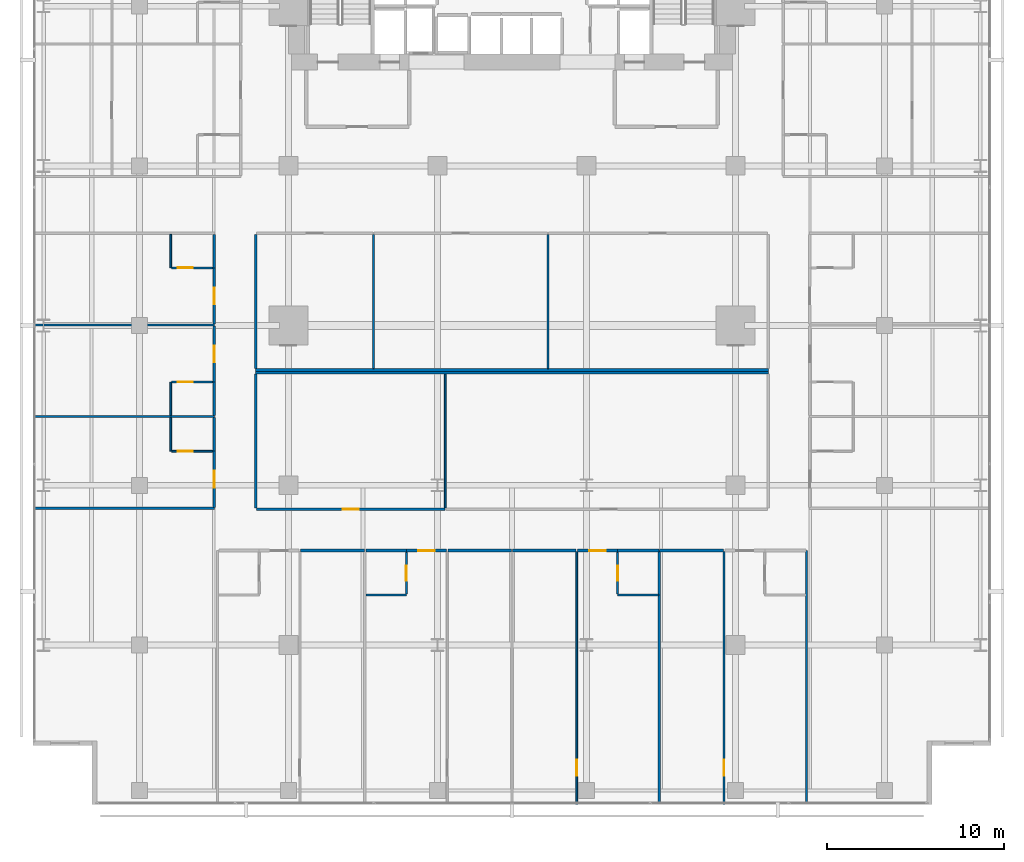
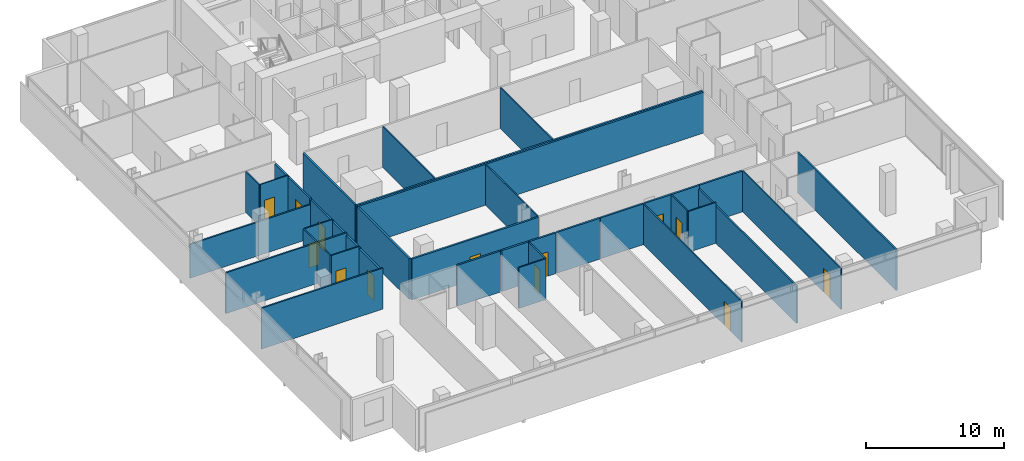
# One storey, part 33 of 39: 39 walls, 13 doors, 13 openings.
"""IFC4 building model written with IfcOpenShell, lengths in metres."""

from ifc_helpers import new_model, si_unit, direction, frame, frame_2d, origin, place, context, subcontext, project, spatial, rectangle, extrude, material, layer, layer_set, type_object, element, fill, save


model = new_model("IFC4")

# Units and contexts
model_context = context("Model", 3, precision=1e-05, world=origin(), true_north=direction((0.0, 1.0)))
body_context = subcontext(model_context, "Body", "Model", "MODEL_VIEW")
ifc_project = project(units=[si_unit("LENGTHUNIT", "METRE"), si_unit("AREAUNIT", "SQUARE_METRE"), si_unit("VOLUMEUNIT", "CUBIC_METRE"), si_unit("PLANEANGLEUNIT", "RADIAN"), si_unit("MASSUNIT", "GRAM", prefix="KILO")], contexts=[model_context])

# Site, building, storey
site_placement = place(None, origin())
site = spatial("IfcSite", under=ifc_project, at=site_placement, CompositionType="ELEMENT")
building_placement = place(site_placement, origin())
building = spatial("IfcBuilding", under=site, at=building_placement, Name="Maruvema Waterfront Hotel and Observation Tower", CompositionType="ELEMENT")
storey_placement = place(building_placement, frame((0.0, 0.0, 46.199951171875)))
storey = spatial("IfcBuildingStorey", under=building, at=storey_placement, Name="L10", CompositionType="ELEMENT", Elevation=46.199951171875)

# Walls
ifc_material_1 = material(Name="Twin-stud acoustic gypsum drywall", Category="gypsum")
ifc_layer_1 = layer(ifc_material_1, 0.14990234375, Name="Acoustic Corridor and Suite Demising Wall 150 mm")
ifc_layer_set_1 = layer_set([ifc_layer_1], Name="Twin-stud acoustic gypsum drywall")
wall_type_1 = type_object("IfcWallType", Name="Acoustic Corridor and Suite Demising Wall 150 mm", PredefinedType="PARTITIONING", material=ifc_layer_set_1)
wall_1_placement = place(storey_placement, frame((23.35009765625, 24.5, 0.0), z_axis=(0.0, 0.0, 1.0), x_axis=(1.0, 0.0, 0.0)))
element("IfcWall", 1, at=wall_1_placement, inside=storey, type_object=wall_type_1, Name="L10 L10-INTN Back Wall 012", PredefinedType="PARTITIONING", context=body_context, shape_type="SweptSolid", body=[
    extrude(rectangle(XDim=28.89990234375, YDim=0.14990234375, at=frame_2d((14.449951171875, 0.0))), origin(), (0.0, 0.0, 1.0), 3.610107421875),
])
wall_2_placement = place(storey_placement, frame((23.35009765625, 24.580078125, 0.0), z_axis=(0.0, 0.0, 1.0), x_axis=(0.0, 1.0, 0.0)))
element("IfcWall", 2, at=wall_2_placement, inside=storey, type_object=wall_type_1, Name="L10 L10-INTN West Wall 013", PredefinedType="PARTITIONING", context=body_context, shape_type="SweptSolid", body=[
    extrude(rectangle(XDim=7.5400390625, YDim=0.14990234375, at=frame_2d((3.77001953125, 0.0))), origin(), (0.0, 0.0, 1.0), 3.610107421875),
])
wall_3_placement = place(storey_placement, frame((23.35009765625, 24.340087890625, 0.0), z_axis=(0.0, 0.0, 1.0), x_axis=(1.0, 0.0, 0.0)))
element("IfcWall", 3, at=wall_3_placement, inside=storey, type_object=wall_type_1, Name="L10 L10-INTS Back Wall 020", PredefinedType="PARTITIONING", context=body_context, shape_type="SweptSolid", body=[
    extrude(rectangle(XDim=28.89990234375, YDim=0.14990234375, at=frame_2d((14.449951171875, 0.0))), origin(), (0.0, 0.0, 1.0), 3.610107421875),
])
wall_4_placement = place(storey_placement, frame((23.35009765625, 16.72998046875, 0.0), z_axis=(0.0, 0.0, 1.0), x_axis=(0.0, 1.0, 0.0)))
element("IfcWall", 4, at=wall_4_placement, inside=storey, type_object=wall_type_1, Name="L10 L10-INTS West Wall 021", PredefinedType="PARTITIONING", context=body_context, shape_type="SweptSolid", body=[
    extrude(rectangle(XDim=7.530029296875, YDim=0.14990234375, at=frame_2d((3.76513671875, 0.0))), origin(), (0.0, 0.0, 1.0), 3.610107421875),
])

# Wall, opening, door
wall_5_placement = place(storey_placement, frame((23.409912109375, 16.64990234375, 0.0), z_axis=(0.0, 0.0, 1.0), x_axis=(1.0, 0.0, 0.0)))
wall_5 = element("IfcWall", 5, at=wall_5_placement, inside=storey, type_object=wall_type_1, Name="L10 L10-INTS Front 1 023", PredefinedType="PARTITIONING", context=body_context, shape_type="SweptSolid", body=[
    extrude(rectangle(XDim=10.60302734375, YDim=0.14990234375, at=frame_2d((5.301513671875, 0.0))), origin(), (0.0, 0.0, 1.0), 3.610107421875),
])
opening_1_placement = place(wall_5_placement, frame((4.8515625, 0.0, 0.0)))
opening_1 = element("IfcOpeningElement", 6, at=opening_1_placement, cuts=wall_5, Name="Opening DR-090", PredefinedType="OPENING", context=body_context, shape_type="SweptSolid", body=[
    extrude(rectangle(XDim=0.89990234375, YDim=2.10009765625, at=frame_2d((0.449951171875, 1.050048828125))), frame((0.0, 0.0849609375, 0.0), z_axis=(0.0, -1.0, 0.0), x_axis=(1.0, 0.0, 0.0)), (0.0, 0.0, 1.0), 0.169921875),
])
ifc_material_2 = material(Name="Solid-core lacquered timber leaf", Category="wood")
door_type_1 = type_object("IfcDoorType", Name="Accessible Toilet and Room Door 900x2100 mm", OperationType="NOTDEFINED", PredefinedType="DOOR", material=ifc_material_2)
door_1_placement = place(opening_1_placement, frame((0.89990234375, 0.0, 0.0), z_axis=(0.0, 0.0, 1.0), x_axis=(-1.0, 0.0, 0.0)))
door_1 = element("IfcDoor", 7, at=door_1_placement, inside=storey, type_object=door_type_1, Name="L10 Wellness Reading Lounge Door", OperationType="SINGLE_SWING_RIGHT", OverallHeight=2.10009765625, OverallWidth=0.89990234375, PredefinedType="DOOR", context=body_context, shape_type="SweptSolid", body=[
    extrude(rectangle(XDim=0.89990234375, YDim=2.10009765625, at=frame_2d((0.449951171875, 1.050048828125))), frame((0.0, 0.02490234375, 0.0), z_axis=(0.0, -1.0, 0.0), x_axis=(1.0, 0.0, 0.0)), (0.0, 0.0, 1.0), 0.050048828125),
])
fill(opening_1, door_1)

# Walls
wall_6_placement = place(storey_placement, frame((25.887939453125, 14.320068359375, 0.0), z_axis=(0.0, 0.0, 1.0), x_axis=(1.0, 0.0, 0.0)))
element("IfcWall", 8, at=wall_6_placement, inside=storey, type_object=wall_type_1, Name="L10 Bedroom L10-S1 Back Wall 032", PredefinedType="PARTITIONING", context=body_context, shape_type="SweptSolid", body=[
    extrude(rectangle(XDim=3.592041015625, YDim=0.14990234375, at=frame_2d((1.7958984375, 0.0))), origin(), (0.0, 0.0, 1.0), 3.610107421875),
])
wall_7_placement = place(storey_placement, frame((29.580078125, 14.320068359375, 0.0), z_axis=(0.0, 0.0, 1.0), x_axis=(1.0, 0.0, 0.0)))
element("IfcWall", 9, at=wall_7_placement, inside=storey, type_object=wall_type_1, Name="L10 Bath L10-S2 Back Wall 035", PredefinedType="PARTITIONING", context=body_context, shape_type="SweptSolid", body=[
    extrude(rectangle(XDim=2.27001953125, YDim=0.14990234375, at=frame_2d((1.135009765625, 0.0))), origin(), (0.0, 0.0, 1.0), 3.610107421875),
])

# Wall, opening, door
wall_8_placement = place(storey_placement, frame((31.85009765625, 14.320068359375, 0.0), z_axis=(0.0, 0.0, 1.0), x_axis=(1.0, 0.0, 0.0)))
wall_8 = element("IfcWall", 10, at=wall_8_placement, inside=storey, type_object=wall_type_1, Name="L10 Unit L10-S2 Corridor Wall 038", PredefinedType="PARTITIONING", context=body_context, shape_type="SweptSolid", body=[
    extrude(rectangle(XDim=2.2578125, YDim=0.14990234375, at=frame_2d((1.12890625, 0.0))), origin(), (0.0, 0.0, 1.0), 3.610107421875),
])
opening_2_placement = place(wall_8_placement, frame((0.654052734375, 0.0, 0.0)))
opening_2 = element("IfcOpeningElement", 11, at=opening_2_placement, cuts=wall_8, Name="Opening DR-095", PredefinedType="OPENING", context=body_context, shape_type="SweptSolid", body=[
    extrude(rectangle(XDim=0.949951171875, YDim=2.14990234375, at=frame_2d((0.47509765625, 1.074951171875))), frame((0.0, 0.0849609375, 0.0), z_axis=(0.0, -1.0, 0.0), x_axis=(1.0, 0.0, 0.0)), (0.0, 0.0, 1.0), 0.169921875),
])
ifc_material_3 = material(Name="Acoustic solid-core hardwood timber leaf", Category="wood")
door_type_2 = type_object("IfcDoorType", Name="Guestroom Entrance Fire Door 950x2150 mm", OperationType="NOTDEFINED", PredefinedType="DOOR", material=ifc_material_3)
door_2_placement = place(opening_2_placement, frame((0.949951171875, 0.0, 0.0), z_axis=(0.0, 0.0, 1.0), x_axis=(-1.0, 0.0, 0.0)))
door_2 = element("IfcDoor", 12, at=door_2_placement, inside=storey, type_object=door_type_2, Name="L10 Unit L10-S2 Entrance Door", OperationType="SINGLE_SWING_RIGHT", OverallHeight=2.14990234375, OverallWidth=0.949951171875, PredefinedType="DOOR", context=body_context, shape_type="SweptSolid", body=[
    extrude(rectangle(XDim=0.949951171875, YDim=2.14990234375, at=frame_2d((0.47509765625, 1.074951171875))), frame((0.0, 0.02490234375, 0.0), z_axis=(0.0, -1.0, 0.0), x_axis=(1.0, 0.0, 0.0)), (0.0, 0.0, 1.0), 0.050048828125),
])
fill(opening_2, door_2)

# Walls
wall_9_placement = place(storey_placement, frame((34.18798828125, 14.320068359375, 0.0), z_axis=(0.0, 0.0, 1.0), x_axis=(1.0, 0.0, 0.0)))
element("IfcWall", 13, at=wall_9_placement, inside=storey, type_object=wall_type_1, Name="L10 Bedroom L10-S2 Back Wall 039", PredefinedType="PARTITIONING", context=body_context, shape_type="SweptSolid", body=[
    extrude(rectangle(XDim=3.592041015625, YDim=0.14990234375, at=frame_2d((1.7958984375, 0.0))), origin(), (0.0, 0.0, 1.0), 3.610107421875),
])
wall_10_placement = place(storey_placement, frame((43.75, 14.320068359375, 0.0), z_axis=(0.0, 0.0, 1.0), x_axis=(1.0, 0.0, 0.0)))
element("IfcWall", 14, at=wall_10_placement, inside=storey, type_object=wall_type_1, Name="L10 Bath L10-S3 Back Wall 042", PredefinedType="PARTITIONING", context=body_context, shape_type="SweptSolid", body=[
    extrude(rectangle(XDim=2.330078125, YDim=0.14990234375, at=frame_2d((1.1650390625, 0.0))), origin(), (0.0, 0.0, 1.0), 3.610107421875),
])
wall_11_placement = place(storey_placement, frame((37.820068359375, 14.320068359375, 0.0), z_axis=(0.0, 0.0, 1.0), x_axis=(1.0, 0.0, 0.0)))
element("IfcWall", 15, at=wall_11_placement, inside=storey, type_object=wall_type_1, Name="L10 Bedroom L10-S3 Back Wall 045", PredefinedType="PARTITIONING", context=body_context, shape_type="SweptSolid", body=[
    extrude(rectangle(XDim=3.592041015625, YDim=0.14990234375, at=frame_2d((1.7958984375, 0.0))), origin(), (0.0, 0.0, 1.0), 3.610107421875),
])

# Wall, opening, door
wall_12_placement = place(storey_placement, frame((41.491943359375, 14.320068359375, 0.0), z_axis=(0.0, 0.0, 1.0), x_axis=(1.0, 0.0, 0.0)))
wall_12 = element("IfcWall", 16, at=wall_12_placement, inside=storey, type_object=wall_type_1, Name="L10 Unit L10-S3 Corridor Wall 046", PredefinedType="PARTITIONING", context=body_context, shape_type="SweptSolid", body=[
    extrude(rectangle(XDim=2.258056640625, YDim=0.14990234375, at=frame_2d((1.12890625, 0.0))), origin(), (0.0, 0.0, 1.0), 3.610107421875),
])
opening_3_placement = place(wall_12_placement, frame((0.654052734375, 0.0, 0.0)))
opening_3 = element("IfcOpeningElement", 17, at=opening_3_placement, cuts=wall_12, Name="Opening DR-095", PredefinedType="OPENING", context=body_context, shape_type="SweptSolid", body=[
    extrude(rectangle(XDim=0.949951171875, YDim=2.14990234375, at=frame_2d((0.47509765625, 1.074951171875))), frame((0.0, 0.0849609375, 0.0), z_axis=(0.0, -1.0, 0.0), x_axis=(1.0, 0.0, 0.0)), (0.0, 0.0, 1.0), 0.169921875),
])
door_3_placement = place(opening_3_placement, frame((0.949951171875, 0.0, 0.0), z_axis=(0.0, 0.0, 1.0), x_axis=(-1.0, 0.0, 0.0)))
door_3 = element("IfcDoor", 18, at=door_3_placement, inside=storey, type_object=door_type_2, Name="L10 Unit L10-S3 Entrance Door", OperationType="SINGLE_SWING_LEFT", OverallHeight=2.14990234375, OverallWidth=0.949951171875, PredefinedType="DOOR", context=body_context, shape_type="SweptSolid", body=[
    extrude(rectangle(XDim=0.949951171875, YDim=2.14990234375, at=frame_2d((0.47509765625, 1.074951171875))), frame((0.0, 0.02490234375, 0.0), z_axis=(0.0, -1.0, 0.0), x_axis=(1.0, 0.0, 0.0)), (0.0, 0.0, 1.0), 0.050048828125),
])
fill(opening_3, door_3)

# Wall
wall_13_placement = place(storey_placement, frame((46.1201171875, 14.320068359375, 0.0), z_axis=(0.0, 0.0, 1.0), x_axis=(1.0, 0.0, 0.0)))
element("IfcWall", 19, at=wall_13_placement, inside=storey, type_object=wall_type_1, Name="L10 Bedroom L10-S4 Back Wall 052", PredefinedType="PARTITIONING", context=body_context, shape_type="SweptSolid", body=[
    extrude(rectangle(XDim=3.591796875, YDim=0.14990234375, at=frame_2d((1.7958984375, 0.0))), origin(), (0.0, 0.0, 1.0), 3.610107421875),
])

# Wall, opening, door
wall_14_placement = place(storey_placement, frame((21.02001953125, 16.760009765625, 0.0), z_axis=(0.0, 0.0, 1.0), x_axis=(0.0, 1.0, 0.0)))
wall_14 = element("IfcWall", 20, at=wall_14_placement, inside=storey, type_object=wall_type_1, Name="L10 Room L10-W1 Corridor Wall 059", PredefinedType="PARTITIONING", context=body_context, shape_type="SweptSolid", body=[
    extrude(rectangle(XDim=3.159912109375, YDim=0.14990234375, at=frame_2d((1.580078125, 0.0))), origin(), (0.0, 0.0, 1.0), 3.35205078125),
])
opening_4_placement = place(wall_14_placement, frame((1.10498046875, 0.0, 0.0)))
opening_4 = element("IfcOpeningElement", 21, at=opening_4_placement, cuts=wall_14, Name="Opening DR-095", PredefinedType="OPENING", context=body_context, shape_type="SweptSolid", body=[
    extrude(rectangle(XDim=0.949951171875, YDim=2.14990234375, at=frame_2d((0.47509765625, 1.074951171875))), frame((0.0, 0.0849609375, 0.0), z_axis=(0.0, -1.0, 0.0), x_axis=(1.0, 0.0, 0.0)), (0.0, 0.0, 1.0), 0.169921875),
])
door_4_placement = place(opening_4_placement, origin())
door_4 = element("IfcDoor", 22, at=door_4_placement, inside=storey, type_object=door_type_2, Name="L10 Room L10-W1 Entrance Door", OperationType="SINGLE_SWING_LEFT", OverallHeight=2.14990234375, OverallWidth=0.949951171875, PredefinedType="DOOR", context=body_context, shape_type="SweptSolid", body=[
    extrude(rectangle(XDim=0.949951171875, YDim=2.14990234375, at=frame_2d((0.47509765625, 1.074951171875))), frame((0.0, 0.02490234375, 0.0), z_axis=(0.0, -1.0, 0.0), x_axis=(1.0, 0.0, 0.0)), (0.0, 0.0, 1.0), 0.050048828125),
])
fill(opening_4, door_4)

# Walls
for number, where, z_axis, x_axis, name in (
    (23, (21.02001953125, 19.919921875, 0.0), (0.0, 0.0, 1.0), (0.0, 1.0, 0.0), "L10 Bath L10-W1 Wall 060"),
    (24, (21.02001953125, 21.929931640625, 0.0), (0.0, 0.0, 1.0), (0.0, 1.0, 0.0), "L10 Bath L10-W2 Wall 069"),
):
    element("IfcWall", number, at=place(storey_placement, frame(where, z_axis=z_axis, x_axis=x_axis)), inside=storey, type_object=wall_type_1, Name=name, PredefinedType="PARTITIONING", context=body_context, shape_type="SweptSolid", body=[
        extrude(rectangle(XDim=1.89013671875, YDim=0.14990234375, at=frame_2d((0.945068359375, 0.0))), origin(), (0.0, 0.0, 1.0), 3.403076171875),
    ])

# Wall, opening, door
wall_15_placement = place(storey_placement, frame((21.02001953125, 23.820068359375, 0.0), z_axis=(0.0, 0.0, 1.0), x_axis=(0.0, 1.0, 0.0)))
wall_15 = element("IfcWall", 25, at=wall_15_placement, inside=storey, type_object=wall_type_1, Name="L10 Room L10-W2 Corridor Wall 070", PredefinedType="PARTITIONING", context=body_context, shape_type="SweptSolid", body=[
    extrude(rectangle(XDim=3.14990234375, YDim=0.14990234375, at=frame_2d((1.574951171875, 0.0))), origin(), (0.0, 0.0, 1.0), 3.403076171875),
])
opening_5_placement = place(wall_15_placement, frame((1.10009765625, 0.0, 0.0)))
opening_5 = element("IfcOpeningElement", 26, at=opening_5_placement, cuts=wall_15, Name="Opening DR-095", PredefinedType="OPENING", context=body_context, shape_type="SweptSolid", body=[
    extrude(rectangle(XDim=0.949951171875, YDim=2.14990234375, at=frame_2d((0.47509765625, 1.074951171875))), frame((0.0, 0.0849609375, 0.0), z_axis=(0.0, -1.0, 0.0), x_axis=(1.0, 0.0, 0.0)), (0.0, 0.0, 1.0), 0.169921875),
])
door_5_placement = place(opening_5_placement, origin())
door_5 = element("IfcDoor", 27, at=door_5_placement, inside=storey, type_object=door_type_2, Name="L10 Room L10-W2 Entrance Door", OperationType="SINGLE_SWING_LEFT", OverallHeight=2.14990234375, OverallWidth=0.949951171875, PredefinedType="DOOR", context=body_context, shape_type="SweptSolid", body=[
    extrude(rectangle(XDim=0.949951171875, YDim=2.14990234375, at=frame_2d((0.47509765625, 1.074951171875))), frame((0.0, 0.02490234375, 0.0), z_axis=(0.0, -1.0, 0.0), x_axis=(1.0, 0.0, 0.0)), (0.0, 0.0, 1.0), 0.050048828125),
])
fill(opening_5, door_5)

wall_16_placement = place(storey_placement, frame((21.02001953125, 27.090087890625, 0.0), z_axis=(0.0, 0.0, 1.0), x_axis=(0.0, 1.0, 0.0)))
wall_16 = element("IfcWall", 28, at=wall_16_placement, inside=storey, type_object=wall_type_1, Name="L10 Room L10-W3 Corridor Wall 079", PredefinedType="PARTITIONING", context=body_context, shape_type="SweptSolid", body=[
    extrude(rectangle(XDim=3.159912109375, YDim=0.14990234375, at=frame_2d((1.580078125, 0.0))), origin(), (0.0, 0.0, 1.0), 3.45703125),
])
opening_6_placement = place(wall_16_placement, frame((1.10498046875, 0.0, 0.0)))
opening_6 = element("IfcOpeningElement", 29, at=opening_6_placement, cuts=wall_16, Name="Opening DR-095", PredefinedType="OPENING", context=body_context, shape_type="SweptSolid", body=[
    extrude(rectangle(XDim=0.949951171875, YDim=2.14990234375, at=frame_2d((0.47509765625, 1.074951171875))), frame((0.0, 0.0849609375, 0.0), z_axis=(0.0, -1.0, 0.0), x_axis=(1.0, 0.0, 0.0)), (0.0, 0.0, 1.0), 0.169921875),
])
door_6_placement = place(opening_6_placement, origin())
door_6 = element("IfcDoor", 30, at=door_6_placement, inside=storey, type_object=door_type_2, Name="L10 Room L10-W3 Entrance Door", OperationType="SINGLE_SWING_LEFT", OverallHeight=2.14990234375, OverallWidth=0.949951171875, PredefinedType="DOOR", context=body_context, shape_type="SweptSolid", body=[
    extrude(rectangle(XDim=0.949951171875, YDim=2.14990234375, at=frame_2d((0.47509765625, 1.074951171875))), frame((0.0, 0.02490234375, 0.0), z_axis=(0.0, -1.0, 0.0), x_axis=(1.0, 0.0, 0.0)), (0.0, 0.0, 1.0), 0.050048828125),
])
fill(opening_6, door_6)

# Walls
wall_17_placement = place(storey_placement, frame((21.02001953125, 30.25, 0.0), z_axis=(0.0, 0.0, 1.0), x_axis=(0.0, 1.0, 0.0)))
element("IfcWall", 31, at=wall_17_placement, inside=storey, type_object=wall_type_1, Name="L10 Bath L10-W3 Wall 080", PredefinedType="PARTITIONING", context=body_context, shape_type="SweptSolid", body=[
    extrude(rectangle(XDim=1.889892578125, YDim=0.14990234375, at=frame_2d((0.94482421875, 0.0))), origin(), (0.0, 0.0, 1.0), 3.45703125),
])
ifc_material_4 = material(Name="Moisture-resistant cement-board drywall", Category="gypsum")
ifc_layer_2 = layer(ifc_material_4, 0.10009765625, Name="En-Suite Moisture-Resistant Partition 100 mm")
ifc_layer_set_2 = layer_set([ifc_layer_2], Name="Moisture-resistant cement-board drywall")
wall_type_2 = type_object("IfcWallType", Name="En-Suite Moisture-Resistant Partition 100 mm", PredefinedType="PARTITIONING", material=ifc_layer_set_2)
for number, where, z_axis, x_axis, name in (
    (32, (29.9970703125, 24.580078125, 0.0), (0.0, 0.0, 1.0), (0.0, 1.0, 0.0), "L10 L10-INTN Split 1 016"),
    (33, (39.822998046875, 24.580078125, 0.0), (0.0, 0.0, 1.0), (0.0, 1.0, 0.0), "L10 L10-INTN Split 2 018"),
):
    element("IfcWall", number, at=place(storey_placement, frame(where, z_axis=z_axis, x_axis=x_axis)), inside=storey, type_object=wall_type_2, Name=name, PredefinedType="PARTITIONING", context=body_context, shape_type="SweptSolid", body=[
        extrude(rectangle(XDim=7.5400390625, YDim=0.10009765625, at=frame_2d((3.77001953125, 0.0))), origin(), (0.0, 0.0, 1.0), 3.610107421875),
    ])
wall_18_placement = place(storey_placement, frame((34.04296875, 16.72998046875, 0.0), z_axis=(0.0, 0.0, 1.0), x_axis=(0.0, 1.0, 0.0)))
element("IfcWall", 34, at=wall_18_placement, inside=storey, type_object=wall_type_2, Name="L10 L10-INTS Split 1 024", PredefinedType="PARTITIONING", context=body_context, shape_type="SweptSolid", body=[
    extrude(rectangle(XDim=7.530029296875, YDim=0.10009765625, at=frame_2d((3.76513671875, 0.0))), origin(), (0.0, 0.0, 1.0), 3.610107421875),
])
wall_19_placement = place(storey_placement, frame((29.580078125, 11.820068359375, 0.0), z_axis=(0.0, 0.0, 1.0), x_axis=(1.0, 0.0, 0.0)))
element("IfcWall", 35, at=wall_19_placement, inside=storey, type_object=wall_type_2, Name="L10 En-Suite L10-S2 South 036", PredefinedType="PARTITIONING", context=body_context, shape_type="SweptSolid", body=[
    extrude(rectangle(XDim=2.27001953125, YDim=0.10009765625, at=frame_2d((1.135009765625, 0.0))), origin(), (0.0, 0.0, 1.0), 3.610107421875),
])

# Wall, opening, door
wall_20_placement = place(storey_placement, frame((31.85009765625, 11.8798828125, 0.0), z_axis=(0.0, 0.0, 1.0), x_axis=(0.0, 1.0, 0.0)))
wall_20 = element("IfcWall", 36, at=wall_20_placement, inside=storey, type_object=wall_type_2, Name="L10 En-Suite L10-S2 East 037", PredefinedType="PARTITIONING", context=body_context, shape_type="SweptSolid", body=[
    extrude(rectangle(XDim=2.340087890625, YDim=0.10009765625, at=frame_2d((1.169921875, 0.0))), origin(), (0.0, 0.0, 1.0), 3.610107421875),
])
opening_7_placement = place(wall_20_placement, frame((0.7451171875, 0.0, 0.0)))
opening_7 = element("IfcOpeningElement", 37, at=opening_7_placement, cuts=wall_20, Name="Opening DR-085", PredefinedType="OPENING", context=body_context, shape_type="SweptSolid", body=[
    extrude(rectangle(XDim=0.85009765625, YDim=2.10009765625, at=frame_2d((0.425048828125, 1.050048828125))), frame((0.0, 0.06005859375, 0.0), z_axis=(0.0, -1.0, 0.0), x_axis=(1.0, 0.0, 0.0)), (0.0, 0.0, 1.0), 0.1201171875),
])
ifc_material_5 = material(Name="Moisture-resistant solid timber leaf", Category="wood")
door_type_3 = type_object("IfcDoorType", Name="En-Suite Bathroom Door 850x2100 mm", OperationType="NOTDEFINED", PredefinedType="DOOR", material=ifc_material_5)
door_7_placement = place(opening_7_placement, frame((0.85009765625, 0.0, 0.0), z_axis=(0.0, 0.0, 1.0), x_axis=(-1.0, 0.0, 0.0)))
door_7 = element("IfcDoor", 38, at=door_7_placement, inside=storey, type_object=door_type_3, Name="L10 En-Suite L10-S2 Door", OperationType="SINGLE_SWING_LEFT", OverallHeight=2.10009765625, OverallWidth=0.85009765625, PredefinedType="DOOR", context=body_context, shape_type="SweptSolid", body=[
    extrude(rectangle(XDim=0.85009765625, YDim=2.10009765625, at=frame_2d((0.425048828125, 1.050048828125))), frame((0.0, 0.02490234375, 0.0), z_axis=(0.0, -1.0, 0.0), x_axis=(1.0, 0.0, 0.0)), (0.0, 0.0, 1.0), 0.050048828125),
])
fill(opening_7, door_7)

# Wall
wall_21_placement = place(storey_placement, frame((43.75, 11.820068359375, 0.0), z_axis=(0.0, 0.0, 1.0), x_axis=(1.0, 0.0, 0.0)))
element("IfcWall", 39, at=wall_21_placement, inside=storey, type_object=wall_type_2, Name="L10 En-Suite L10-S3 South 043", PredefinedType="PARTITIONING", context=body_context, shape_type="SweptSolid", body=[
    extrude(rectangle(XDim=2.31005859375, YDim=0.10009765625, at=frame_2d((1.155029296875, 0.0))), origin(), (0.0, 0.0, 1.0), 3.610107421875),
])

# Wall, opening, door
wall_22_placement = place(storey_placement, frame((43.75, 11.8798828125, 0.0), z_axis=(0.0, 0.0, 1.0), x_axis=(0.0, 1.0, 0.0)))
wall_22 = element("IfcWall", 40, at=wall_22_placement, inside=storey, type_object=wall_type_2, Name="L10 En-Suite L10-S3 West 044", PredefinedType="PARTITIONING", context=body_context, shape_type="SweptSolid", body=[
    extrude(rectangle(XDim=2.340087890625, YDim=0.10009765625, at=frame_2d((1.169921875, 0.0))), origin(), (0.0, 0.0, 1.0), 3.610107421875),
])
opening_8_placement = place(wall_22_placement, frame((0.7451171875, 0.0, 0.0)))
opening_8 = element("IfcOpeningElement", 41, at=opening_8_placement, cuts=wall_22, Name="Opening DR-085", PredefinedType="OPENING", context=body_context, shape_type="SweptSolid", body=[
    extrude(rectangle(XDim=0.85009765625, YDim=2.10009765625, at=frame_2d((0.425048828125, 1.050048828125))), frame((0.0, 0.06005859375, 0.0), z_axis=(0.0, -1.0, 0.0), x_axis=(1.0, 0.0, 0.0)), (0.0, 0.0, 1.0), 0.1201171875),
])
door_8_placement = place(opening_8_placement, origin())
door_8 = element("IfcDoor", 42, at=door_8_placement, inside=storey, type_object=door_type_3, Name="L10 En-Suite L10-S3 Door", OperationType="SINGLE_SWING_RIGHT", OverallHeight=2.10009765625, OverallWidth=0.85009765625, PredefinedType="DOOR", context=body_context, shape_type="SweptSolid", body=[
    extrude(rectangle(XDim=0.85009765625, YDim=2.10009765625, at=frame_2d((0.425048828125, 1.050048828125))), frame((0.0, 0.02490234375, 0.0), z_axis=(0.0, -1.0, 0.0), x_axis=(1.0, 0.0, 0.0)), (0.0, 0.0, 1.0), 0.050048828125),
])
fill(opening_8, door_8)

wall_23_placement = place(storey_placement, frame((41.451904296875, 0.030029296875, 0.0), z_axis=(0.0, 0.0, 1.0), x_axis=(0.0, 1.0, 0.0)))
wall_23 = element("IfcWall", 43, at=wall_23_placement, inside=storey, type_object=wall_type_2, Name="L10 Suite L10-S3 Split 047", PredefinedType="PARTITIONING", context=body_context, shape_type="SweptSolid", body=[
    extrude(rectangle(XDim=14.22998046875, YDim=0.10009765625, at=frame_2d((7.114990234375, 0.0))), origin(), (0.0, 0.0, 1.0), 3.610107421875),
])
opening_9_placement = place(wall_23_placement, frame((1.60009765625, 0.0, 0.0)))
opening_9 = element("IfcOpeningElement", 44, at=opening_9_placement, cuts=wall_23, Name="Opening DR-090", PredefinedType="OPENING", context=body_context, shape_type="SweptSolid", body=[
    extrude(rectangle(XDim=0.89990234375, YDim=2.10009765625, at=frame_2d((0.449951171875, 1.050048828125))), frame((0.0, 0.06005859375, 0.0), z_axis=(0.0, -1.0, 0.0), x_axis=(1.0, 0.0, 0.0)), (0.0, 0.0, 1.0), 0.1201171875),
])
door_9_placement = place(opening_9_placement, frame((0.89990234375, 0.0, 0.0), z_axis=(0.0, 0.0, 1.0), x_axis=(-1.0, 0.0, 0.0)))
door_9 = element("IfcDoor", 45, at=door_9_placement, inside=storey, type_object=door_type_1, Name="L10 Suite L10-S3 Bedroom Door", OperationType="SINGLE_SWING_RIGHT", OverallHeight=2.10009765625, OverallWidth=0.89990234375, PredefinedType="DOOR", context=body_context, shape_type="SweptSolid", body=[
    extrude(rectangle(XDim=0.89990234375, YDim=2.10009765625, at=frame_2d((0.449951171875, 1.050048828125))), frame((0.0, 0.02490234375, 0.0), z_axis=(0.0, -1.0, 0.0), x_axis=(1.0, 0.0, 0.0)), (0.0, 0.0, 1.0), 0.050048828125),
])
fill(opening_9, door_9)

wall_24_placement = place(storey_placement, frame((49.751953125, 0.030029296875, 0.0), z_axis=(0.0, 0.0, 1.0), x_axis=(0.0, 1.0, 0.0)))
wall_24 = element("IfcWall", 46, at=wall_24_placement, inside=storey, type_object=wall_type_2, Name="L10 Suite L10-S4 Split 054", PredefinedType="PARTITIONING", context=body_context, shape_type="SweptSolid", body=[
    extrude(rectangle(XDim=14.22998046875, YDim=0.10009765625, at=frame_2d((7.114990234375, 0.0))), origin(), (0.0, 0.0, 1.0), 3.610107421875),
])
opening_10_placement = place(wall_24_placement, frame((1.60009765625, 0.0, 0.0)))
opening_10 = element("IfcOpeningElement", 47, at=opening_10_placement, cuts=wall_24, Name="Opening DR-090", PredefinedType="OPENING", context=body_context, shape_type="SweptSolid", body=[
    extrude(rectangle(XDim=0.89990234375, YDim=2.10009765625, at=frame_2d((0.449951171875, 1.050048828125))), frame((0.0, 0.06005859375, 0.0), z_axis=(0.0, -1.0, 0.0), x_axis=(1.0, 0.0, 0.0)), (0.0, 0.0, 1.0), 0.1201171875),
])
door_10_placement = place(opening_10_placement, frame((0.89990234375, 0.0, 0.0), z_axis=(0.0, 0.0, 1.0), x_axis=(-1.0, 0.0, 0.0)))
door_10 = element("IfcDoor", 48, at=door_10_placement, inside=storey, type_object=door_type_1, Name="L10 Suite L10-S4 Bedroom Door", OperationType="SINGLE_SWING_LEFT", OverallHeight=2.10009765625, OverallWidth=0.89990234375, PredefinedType="DOOR", context=body_context, shape_type="SweptSolid", body=[
    extrude(rectangle(XDim=0.89990234375, YDim=2.10009765625, at=frame_2d((0.449951171875, 1.050048828125))), frame((0.0, 0.02490234375, 0.0), z_axis=(0.0, -1.0, 0.0), x_axis=(1.0, 0.0, 0.0)), (0.0, 0.0, 1.0), 0.050048828125),
])
fill(opening_10, door_10)

# Wall
wall_25_placement = place(storey_placement, frame((18.570068359375, 19.919921875, 0.0), z_axis=(0.0, 0.0, 1.0), x_axis=(0.0, 1.0, 0.0)))
element("IfcWall", 49, at=wall_25_placement, inside=storey, type_object=wall_type_2, Name="L10 En-Suite L10-W1 W 061", PredefinedType="PARTITIONING", context=body_context, shape_type="SweptSolid", body=[
    extrude(rectangle(XDim=1.89013671875, YDim=0.10009765625, at=frame_2d((0.945068359375, 0.0))), origin(), (0.0, 0.0, 1.0), 3.610107421875),
])

# Wall, opening, door
wall_26_placement = place(storey_placement, frame((18.6201171875, 19.919921875, 0.0), z_axis=(0.0, 0.0, 1.0), x_axis=(1.0, 0.0, 0.0)))
wall_26 = element("IfcWall", 50, at=wall_26_placement, inside=storey, type_object=wall_type_2, Name="L10 En-Suite L10-W1 S 062", PredefinedType="PARTITIONING", context=body_context, shape_type="SweptSolid", body=[
    extrude(rectangle(XDim=2.2998046875, YDim=0.10009765625, at=frame_2d((1.14990234375, 0.0))), origin(), (0.0, 0.0, 1.0), 3.610107421875),
])
opening_11_placement = place(wall_26_placement, frame((0.35009765625, 0.0, 0.0)))
opening_11 = element("IfcOpeningElement", 51, at=opening_11_placement, cuts=wall_26, Name="Opening DR-085", PredefinedType="OPENING", context=body_context, shape_type="SweptSolid", body=[
    extrude(rectangle(XDim=0.85009765625, YDim=2.10009765625, at=frame_2d((0.425048828125, 1.050048828125))), frame((0.0, 0.06005859375, 0.0), z_axis=(0.0, -1.0, 0.0), x_axis=(1.0, 0.0, 0.0)), (0.0, 0.0, 1.0), 0.1201171875),
])
door_11_placement = place(opening_11_placement, frame((0.85009765625, 0.0, 0.0), z_axis=(0.0, 0.0, 1.0), x_axis=(-1.0, 0.0, 0.0)))
door_11 = element("IfcDoor", 52, at=door_11_placement, inside=storey, type_object=door_type_3, Name="L10 En-Suite L10-W1 Door", OperationType="SINGLE_SWING_RIGHT", OverallHeight=2.10009765625, OverallWidth=0.85009765625, PredefinedType="DOOR", context=body_context, shape_type="SweptSolid", body=[
    extrude(rectangle(XDim=0.85009765625, YDim=2.10009765625, at=frame_2d((0.425048828125, 1.050048828125))), frame((0.0, 0.02490234375, 0.0), z_axis=(0.0, -1.0, 0.0), x_axis=(1.0, 0.0, 0.0)), (0.0, 0.0, 1.0), 0.050048828125),
])
fill(opening_11, door_11)

# Wall
wall_27_placement = place(storey_placement, frame((18.570068359375, 21.929931640625, 0.0), z_axis=(0.0, 0.0, 1.0), x_axis=(0.0, 1.0, 0.0)))
element("IfcWall", 53, at=wall_27_placement, inside=storey, type_object=wall_type_2, Name="L10 En-Suite L10-W2 W 071", PredefinedType="PARTITIONING", context=body_context, shape_type="SweptSolid", body=[
    extrude(rectangle(XDim=1.89013671875, YDim=0.10009765625, at=frame_2d((0.945068359375, 0.0))), origin(), (0.0, 0.0, 1.0), 3.610107421875),
])

# Wall, opening, door
wall_28_placement = place(storey_placement, frame((18.6201171875, 23.820068359375, 0.0), z_axis=(0.0, 0.0, 1.0), x_axis=(1.0, 0.0, 0.0)))
wall_28 = element("IfcWall", 54, at=wall_28_placement, inside=storey, type_object=wall_type_2, Name="L10 En-Suite L10-W2 N 072", PredefinedType="PARTITIONING", context=body_context, shape_type="SweptSolid", body=[
    extrude(rectangle(XDim=2.2998046875, YDim=0.10009765625, at=frame_2d((1.14990234375, 0.0))), origin(), (0.0, 0.0, 1.0), 3.610107421875),
])
opening_12_placement = place(wall_28_placement, frame((0.35009765625, 0.0, 0.0)))
opening_12 = element("IfcOpeningElement", 55, at=opening_12_placement, cuts=wall_28, Name="Opening DR-085", PredefinedType="OPENING", context=body_context, shape_type="SweptSolid", body=[
    extrude(rectangle(XDim=0.85009765625, YDim=2.10009765625, at=frame_2d((0.425048828125, 1.050048828125))), frame((0.0, 0.06005859375, 0.0), z_axis=(0.0, -1.0, 0.0), x_axis=(1.0, 0.0, 0.0)), (0.0, 0.0, 1.0), 0.1201171875),
])
door_12_placement = place(opening_12_placement, origin())
door_12 = element("IfcDoor", 56, at=door_12_placement, inside=storey, type_object=door_type_3, Name="L10 En-Suite L10-W2 Door", OperationType="SINGLE_SWING_RIGHT", OverallHeight=2.10009765625, OverallWidth=0.85009765625, PredefinedType="DOOR", context=body_context, shape_type="SweptSolid", body=[
    extrude(rectangle(XDim=0.85009765625, YDim=2.10009765625, at=frame_2d((0.425048828125, 1.050048828125))), frame((0.0, 0.02490234375, 0.0), z_axis=(0.0, -1.0, 0.0), x_axis=(1.0, 0.0, 0.0)), (0.0, 0.0, 1.0), 0.050048828125),
])
fill(opening_12, door_12)

# Wall
wall_29_placement = place(storey_placement, frame((18.570068359375, 30.25, 0.0), z_axis=(0.0, 0.0, 1.0), x_axis=(0.0, 1.0, 0.0)))
element("IfcWall", 57, at=wall_29_placement, inside=storey, type_object=wall_type_2, Name="L10 En-Suite L10-W3 W 081", PredefinedType="PARTITIONING", context=body_context, shape_type="SweptSolid", body=[
    extrude(rectangle(XDim=1.889892578125, YDim=0.10009765625, at=frame_2d((0.94482421875, 0.0))), origin(), (0.0, 0.0, 1.0), 3.610107421875),
])

# Wall, opening, door
wall_30_placement = place(storey_placement, frame((18.6201171875, 30.25, 0.0), z_axis=(0.0, 0.0, 1.0), x_axis=(1.0, 0.0, 0.0)))
wall_30 = element("IfcWall", 58, at=wall_30_placement, inside=storey, type_object=wall_type_2, Name="L10 En-Suite L10-W3 S 082", PredefinedType="PARTITIONING", context=body_context, shape_type="SweptSolid", body=[
    extrude(rectangle(XDim=2.2998046875, YDim=0.10009765625, at=frame_2d((1.14990234375, 0.0))), origin(), (0.0, 0.0, 1.0), 3.610107421875),
])
opening_13_placement = place(wall_30_placement, frame((0.35009765625, 0.0, 0.0)))
opening_13 = element("IfcOpeningElement", 59, at=opening_13_placement, cuts=wall_30, Name="Opening DR-085", PredefinedType="OPENING", context=body_context, shape_type="SweptSolid", body=[
    extrude(rectangle(XDim=0.85009765625, YDim=2.10009765625, at=frame_2d((0.425048828125, 1.050048828125))), frame((0.0, 0.06005859375, 0.0), z_axis=(0.0, -1.0, 0.0), x_axis=(1.0, 0.0, 0.0)), (0.0, 0.0, 1.0), 0.1201171875),
])
door_13_placement = place(opening_13_placement, frame((0.85009765625, 0.0, 0.0), z_axis=(0.0, 0.0, 1.0), x_axis=(-1.0, 0.0, 0.0)))
door_13 = element("IfcDoor", 60, at=door_13_placement, inside=storey, type_object=door_type_3, Name="L10 En-Suite L10-W3 Door", OperationType="SINGLE_SWING_RIGHT", OverallHeight=2.10009765625, OverallWidth=0.85009765625, PredefinedType="DOOR", context=body_context, shape_type="SweptSolid", body=[
    extrude(rectangle(XDim=0.85009765625, YDim=2.10009765625, at=frame_2d((0.425048828125, 1.050048828125))), frame((0.0, 0.02490234375, 0.0), z_axis=(0.0, -1.0, 0.0), x_axis=(1.0, 0.0, 0.0)), (0.0, 0.0, 1.0), 0.050048828125),
])
fill(opening_13, door_13)

# Walls
ifc_material_6 = material(Name="Acoustic gypsum plasterboard drywall", Category="gypsum")
ifc_layer_3 = layer(ifc_material_6, 0.125, Name="Guestroom Acoustic Demising Wall 125 mm")
ifc_layer_set_3 = layer_set([ifc_layer_3], Name="Acoustic gypsum plasterboard drywall")
wall_type_3 = type_object("IfcWallType", Name="Guestroom Acoustic Demising Wall 125 mm", PredefinedType="PARTITIONING", material=ifc_layer_set_3)
wall_31_placement = place(storey_placement, frame((54.39990234375, 0.10009765625, 0.0), z_axis=(0.0, 0.0, 1.0), x_axis=(0.0, 1.0, 0.0)))
element("IfcWall", 61, at=wall_31_placement, inside=storey, type_object=wall_type_3, Name="L10 S East End 027", PredefinedType="PARTITIONING", context=body_context, shape_type="SweptSolid", body=[
    extrude(rectangle(XDim=14.219970703125, YDim=0.125, at=frame_2d((7.10986328125, 0.0))), origin(), (0.0, 0.0, 1.0), 3.610107421875),
])
wall_32_placement = place(storey_placement, frame((46.10009765625, 0.10009765625, 0.0), z_axis=(0.0, 0.0, 1.0), x_axis=(0.0, 1.0, 0.0)))
element("IfcWall", 62, at=wall_32_placement, inside=storey, type_object=wall_type_3, Name="L10 S Demising 4 048", PredefinedType="PARTITIONING", context=body_context, shape_type="SweptSolid", body=[
    extrude(rectangle(XDim=14.219970703125, YDim=0.125, at=frame_2d((7.10986328125, 0.0))), origin(), (0.0, 0.0, 1.0), 3.300048828125),
])
for number, where, z_axis, x_axis, name in (
    (63, (10.89990234375, 16.699951171875, 0.0), (0.0, 0.0, 1.0), (1.0, 0.0, 0.0), "L10 W Bot End 055"),
    (64, (10.89990234375, 21.8701171875, 0.0), (0.0, 0.0, 1.0), (1.0, 0.0, 0.0), "L10 W Demising 2 067"),
):
    element("IfcWall", number, at=place(storey_placement, frame(where, z_axis=z_axis, x_axis=x_axis)), inside=storey, type_object=wall_type_3, Name=name, PredefinedType="PARTITIONING", context=body_context, shape_type="SweptSolid", body=[
        extrude(rectangle(XDim=10.1201171875, YDim=0.125, at=frame_2d((5.06005859375, 0.0))), origin(), (0.0, 0.0, 1.0), 3.610107421875),
    ])
wall_33_placement = place(storey_placement, frame((10.89990234375, 27.030029296875, 0.0), z_axis=(0.0, 0.0, 1.0), x_axis=(1.0, 0.0, 0.0)))
element("IfcWall", 65, at=wall_33_placement, inside=storey, type_object=wall_type_3, Name="L10 W Demising 3 077", PredefinedType="PARTITIONING", context=body_context, shape_type="SweptSolid", body=[
    extrude(rectangle(XDim=10.1201171875, YDim=0.125, at=frame_2d((5.06005859375, 0.0))), origin(), (0.0, 0.0, 1.0), 2.988037109375),
])

save(model, "model.ifc")
